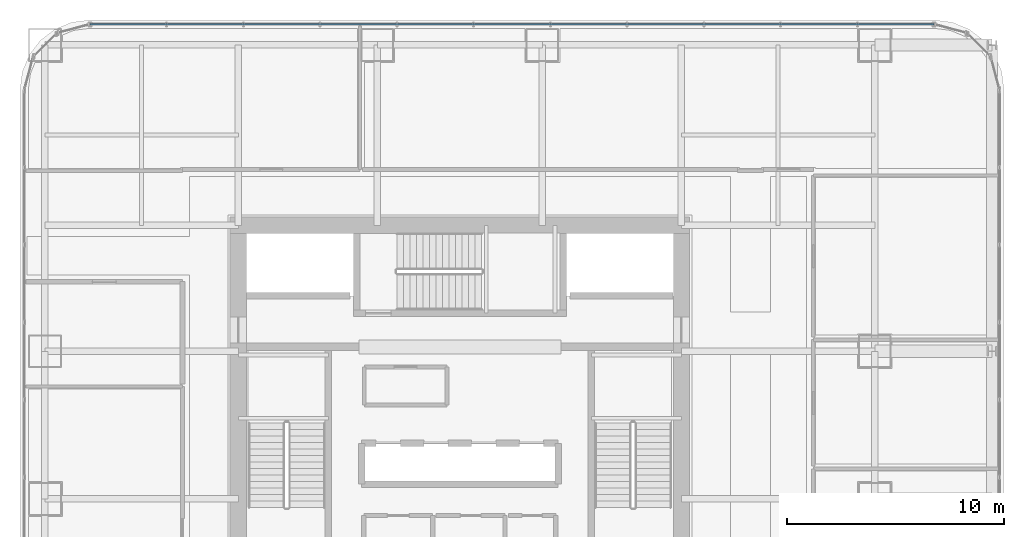
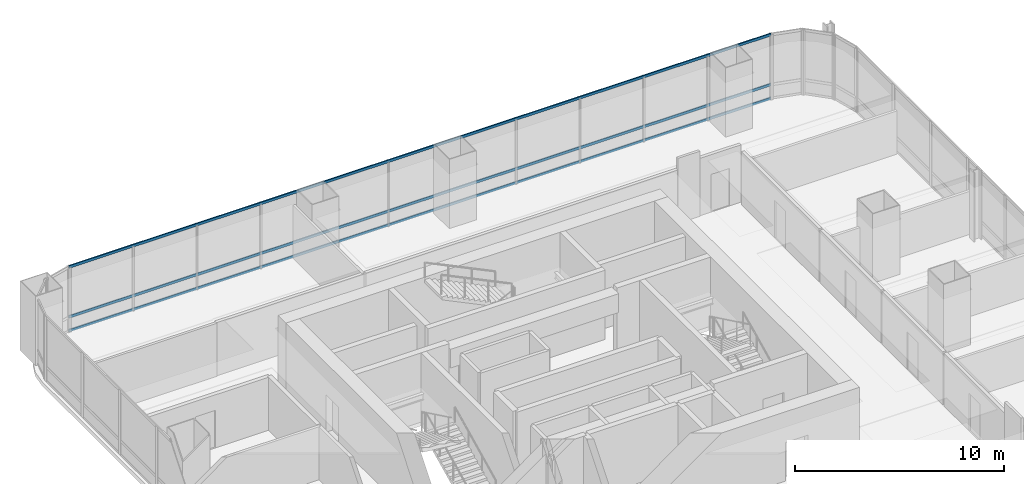
# One storey, part 21 of 34: 3 members, 1 element without a shape of its own.
"""IFC4 building model written with IfcOpenShell, lengths in metres."""

from ifc_helpers import new_model, si_unit, direction, frame, origin, origin_2d, place, context, subcontext, project, spatial, hollow_rectangle, extrude, material, material_profile, profile_set, type_object, element, aggregate, save


model = new_model("IFC4")

# Units and contexts
model_context = context("Model", 3, precision=1e-05, world=origin(), true_north=direction((0.0, 1.0)))
body_context = subcontext(model_context, "Body", "Model", "MODEL_VIEW")
ifc_project = project(units=[si_unit("LENGTHUNIT", "METRE"), si_unit("AREAUNIT", "SQUARE_METRE"), si_unit("VOLUMEUNIT", "CUBIC_METRE"), si_unit("PLANEANGLEUNIT", "RADIAN"), si_unit("MASSUNIT", "GRAM", prefix="KILO")], contexts=[model_context])

# Site, building, storey
site_placement = place(None, origin())
site = spatial("IfcSite", under=ifc_project, at=site_placement, CompositionType="ELEMENT")
building_placement = place(site_placement, origin())
building = spatial("IfcBuilding", under=site, at=building_placement, Name="Punatoya Terracotta Tower", CompositionType="ELEMENT")
storey_placement = place(building_placement, frame((0.0, 0.0, 84.89990234375)))
storey = spatial("IfcBuildingStorey", under=building, at=storey_placement, Name="L19", CompositionType="ELEMENT", Elevation=84.89990234375)

# Curtain wall, members
ifc_material_1 = material(Name="Aluminium 6063-T6 + Double Low-E Glass", Category="aluminium")
curtain_wall_type = type_object("IfcCurtainWallType", Name="CW-M1", PredefinedType="NOTDEFINED", material=ifc_material_1)
curtain_wall_placement = place(storey_placement, origin())
curtain_wall = element("IfcCurtainWall", 1, at=curtain_wall_placement, inside=storey, type_object=curtain_wall_type, Name="L19 Curtain Wall CW-L19-N09-1", PredefinedType="NOTDEFINED")
ifc_material_2 = material(Name="Aluminium 6063-T6", Category="aluminium")
ifc_material_profile = material_profile(ifc_material_2, hollow_rectangle(XDim=0.068115234375, YDim=0.14990234375, WallThickness=0.00390625, at=origin_2d()))
ifc_profile_set = profile_set([ifc_material_profile], Name="Aluminium 6063-T6")
member_type = type_object("IfcMemberType", Name="CW-TRN-TYP", PredefinedType="USERDEFINED", material=ifc_profile_set)
member_1_placement = place(storey_placement, frame((21.8369140625, 18.449951171875, 0.0400390625), z_axis=(-1.0, 0.0, 0.0), x_axis=(0.0, -1.0, 0.0)))
member_1 = element("IfcMember", 2, at=member_1_placement, type_object=member_type, Name="CW-L19-N09-1 Transom 1", ObjectType="TRANSOM", PredefinedType="USERDEFINED", context=body_context, shape_type="SweptSolid", body=[
    extrude(hollow_rectangle(XDim=0.068115234375, YDim=0.14990234375, WallThickness=0.00390625, at=origin_2d()), origin(), (0.0, 0.0, 1.0), 38.873779296875),
])
member_2_placement = place(storey_placement, frame((21.8369140625, 18.449951171875, 0.85009765625), z_axis=(-1.0, 0.0, 0.0), x_axis=(0.0, -1.0, 0.0)))
member_2 = element("IfcMember", 3, at=member_2_placement, type_object=member_type, Name="CW-L19-N09-1 Transom 2", ObjectType="TRANSOM", PredefinedType="USERDEFINED", context=body_context, shape_type="SweptSolid", body=[
    extrude(hollow_rectangle(XDim=0.068115234375, YDim=0.14990234375, WallThickness=0.00390625, at=origin_2d()), origin(), (0.0, 0.0, 1.0), 38.873779296875),
])
member_3_placement = place(storey_placement, frame((21.8369140625, 18.449951171875, 3.77001953125), z_axis=(-1.0, 0.0, 0.0), x_axis=(0.0, -1.0, 0.0)))
member_3 = element("IfcMember", 4, at=member_3_placement, type_object=member_type, Name="CW-L19-N09-1 Transom 3", ObjectType="TRANSOM", PredefinedType="USERDEFINED", context=body_context, shape_type="SweptSolid", body=[
    extrude(hollow_rectangle(XDim=0.068115234375, YDim=0.14990234375, WallThickness=0.00390625, at=origin_2d()), origin(), (0.0, 0.0, 1.0), 38.873779296875),
])
aggregate(curtain_wall, [member_1, member_2, member_3])

save(model, "model.ifc")
